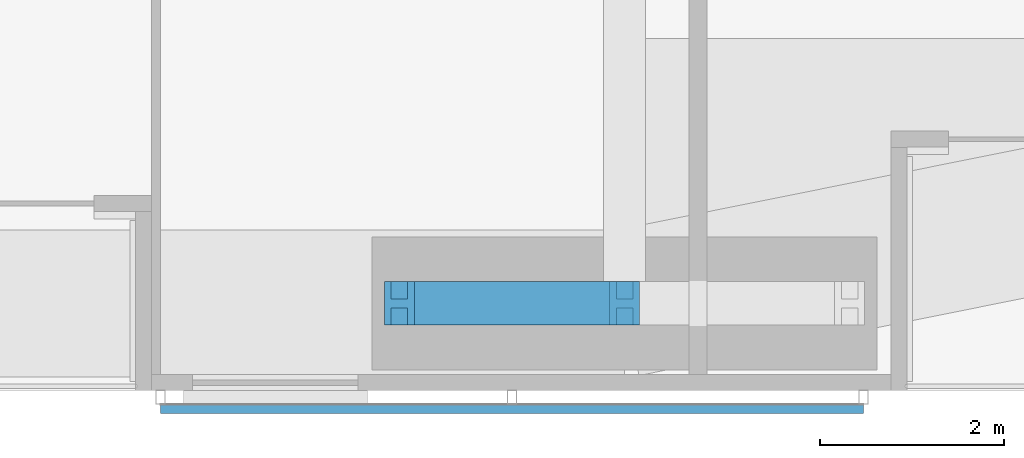
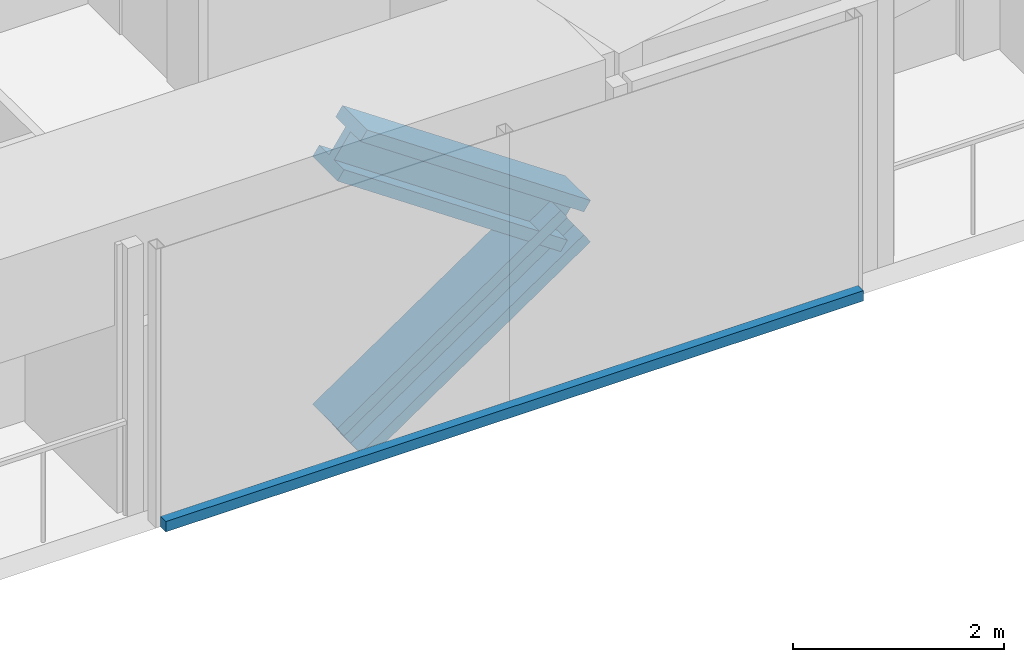
# One storey, part 6 of 24: 3 members, 1 element without a shape of its own.
"""IFC4 building model written with IfcOpenShell, lengths in metres."""

from ifc_helpers import new_model, si_unit, direction, frame, origin, origin_2d, place, context, subcontext, project, spatial, rectangle, i_section, extrude, material, material_profile, profile_set, type_object, element, aggregate, save


model = new_model("IFC4")

# Units and contexts
model_context = context("Model", 3, precision=1e-05, world=origin(), true_north=direction((0.0, 1.0)))
body_context = subcontext(model_context, "Body", "Model", "MODEL_VIEW")
ifc_project = project(units=[si_unit("LENGTHUNIT", "METRE"), si_unit("AREAUNIT", "SQUARE_METRE"), si_unit("VOLUMEUNIT", "CUBIC_METRE"), si_unit("PLANEANGLEUNIT", "RADIAN"), si_unit("MASSUNIT", "GRAM", prefix="KILO")], contexts=[model_context])

# Site, building, storey
site_placement = place(None, origin())
site = spatial("IfcSite", under=ifc_project, at=site_placement, CompositionType="ELEMENT")
building_placement = place(site_placement, origin())
building = spatial("IfcBuilding", under=site, at=building_placement, Name="Jalousie Tower", CompositionType="ELEMENT")
storey_placement = place(building_placement, frame((0.0, 0.0, 57.85009765625)))
storey = spatial("IfcBuildingStorey", under=building, at=storey_placement, Name="L15", CompositionType="ELEMENT", Elevation=57.85009765625)

# Members
ifc_material_1 = material(Name="Steel ASTM A992 Grade 50", Category="steel")
ifc_material_profile_1 = material_profile(ifc_material_1, i_section(OverallWidth=0.472412109375, OverallDepth=0.5791015625, WebThickness=0.094970703125, FlangeThickness=0.1298828125, at=origin_2d()), Name="W14X808")
ifc_profile_set_1 = profile_set([ifc_material_profile_1], Name="Steel ASTM A992 Grade 50")
member_type_1 = type_object("IfcMemberType", Name="PERIMETER BRACE W14X808", PredefinedType="BRACE", material=ifc_profile_set_1)
for number, where, z_axis, x_axis, name in (
    (1, (32.550048828125, 0.949951171875, -0.60009765625), (0.825500916831, 0.0, 0.564400776321), (0.0, 1.0, 0.0), "Perimeter brace 04 L15 part 1"),
    (2, (35.0, 0.949951171875, 1.074951171875), (-0.825500916831, 0.0, 0.564400776321), (0.0, -1.0, 0.0), "Perimeter brace 04 L15 part 4"),
):
    element("IfcMember", number, at=place(storey_placement, frame(where, z_axis=z_axis, x_axis=x_axis)), inside=storey, type_object=member_type_1, Name=name, PredefinedType="BRACE", context=body_context, shape_type="SweptSolid", body=[
        extrude(i_section(OverallWidth=0.472412109375, OverallDepth=0.5791015625, WebThickness=0.094970703125, FlangeThickness=0.1298828125, at=origin_2d()), origin(), (0.0, 0.0, 1.0), 2.9677734375),
    ])

# Curtain wall, member
ifc_material_2 = material(Name="Perforated aluminium sheet", Category="aluminium")
curtain_wall_type = type_object("IfcCurtainWallType", Name="SOLAR SCREEN SS-1", PredefinedType="USERDEFINED", material=ifc_material_2)
curtain_wall_placement = place(storey_placement, origin())
curtain_wall = element("IfcCurtainWall", 3, at=curtain_wall_placement, inside=storey, type_object=curtain_wall_type, Name="Solar screen L15", ObjectType="SOLAR SCREEN SS-1", PredefinedType="USERDEFINED")
ifc_material_3 = material(Name="Extruded aluminium screen rail", Category="aluminium")
ifc_material_profile_2 = material_profile(ifc_material_3, rectangle(XDim=0.1015625, YDim=0.1201171875, at=origin_2d()), Name="RAIL 102x120")
ifc_profile_set_2 = profile_set([ifc_material_profile_2], Name="Extruded aluminium screen rail")
member_type_2 = type_object("IfcMemberType", Name="SOLAR SCREEN SS-1 TRANSOM", PredefinedType="USERDEFINED", material=ifc_profile_set_2)
member_placement = place(storey_placement, frame((29.949951171875, -0.1982421875, -0.06005859375), z_axis=(1.0, 0.0, 0.0), x_axis=(0.0, 1.0, 0.0)))
member = element("IfcMember", 4, at=member_placement, type_object=member_type_2, Name="SS1 rail", ObjectType="TRANSOM", PredefinedType="USERDEFINED", context=body_context, shape_type="SweptSolid", body=[
    extrude(rectangle(XDim=0.1015625, YDim=0.1201171875, at=origin_2d()), origin(), (0.0, 0.0, 1.0), 7.650146484375),
])
aggregate(curtain_wall, [member])

save(model, "model.ifc")
